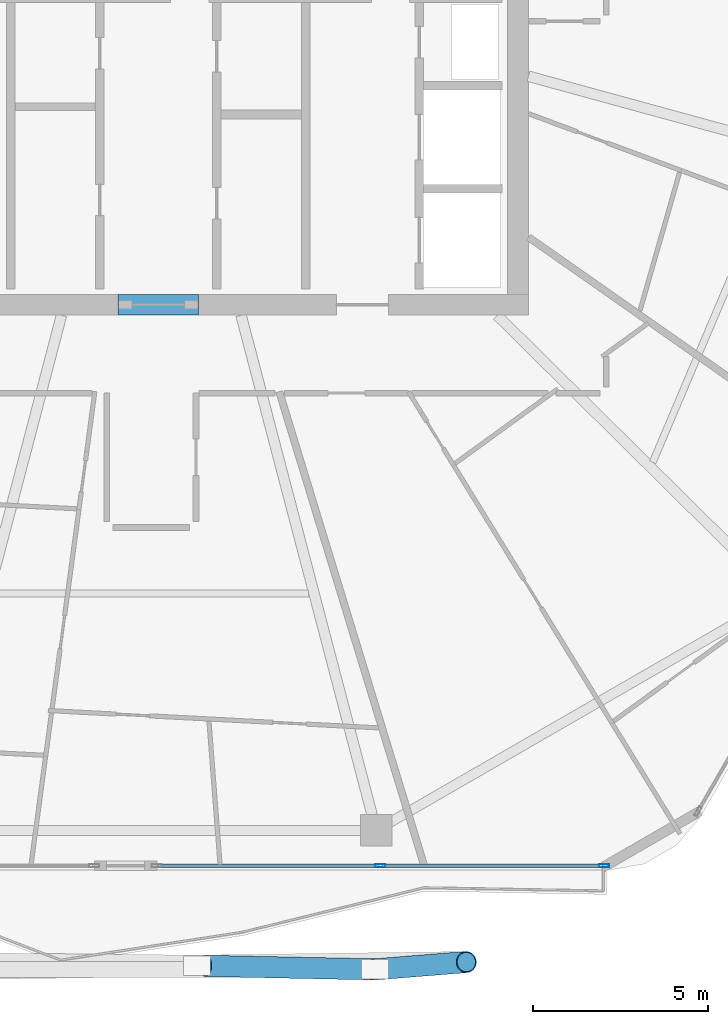
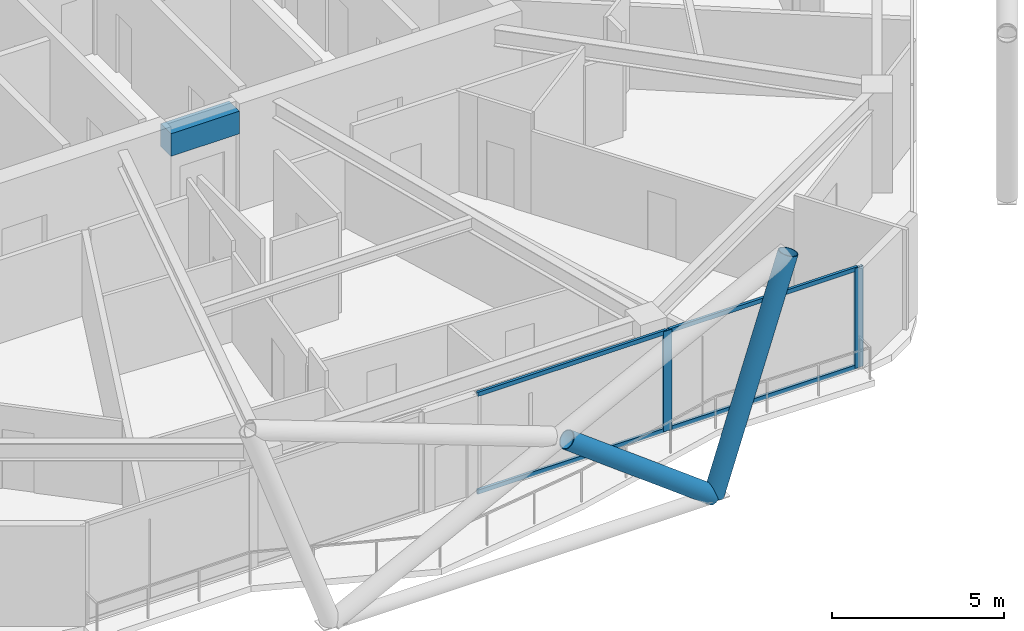
# One storey, part 7 of 28: 8 members, 1 beam, 1 element without a shape of its own.
"""IFC4 building model written with IfcOpenShell, lengths in metres."""

from ifc_helpers import new_model, si_unit, direction, frame, origin, origin_2d, place, context, subcontext, project, spatial, rectangle, hollow_rectangle, hollow_circle, extrude, material, material_profile, profile_set, type_object, element, aggregate, save


model = new_model("IFC4")

# Units and contexts
model_context = context("Model", 3, precision=1e-05, world=origin(), true_north=direction((0.0, 1.0)))
body_context = subcontext(model_context, "Body", "Model", "MODEL_VIEW")
ifc_project = project(units=[si_unit("LENGTHUNIT", "METRE"), si_unit("AREAUNIT", "SQUARE_METRE"), si_unit("VOLUMEUNIT", "CUBIC_METRE"), si_unit("PLANEANGLEUNIT", "RADIAN"), si_unit("MASSUNIT", "GRAM", prefix="KILO")], contexts=[model_context])

# Site, building, storey
site_placement = place(None, origin())
site = spatial("IfcSite", under=ifc_project, at=site_placement, CompositionType="ELEMENT")
building_placement = place(site_placement, origin())
building = spatial("IfcBuilding", under=site, at=building_placement, Name="Zuhravey Tower", CompositionType="ELEMENT")
storey_placement = place(building_placement, frame((0.0, 0.0, 254.0)))
storey = spatial("IfcBuildingStorey", under=building, at=storey_placement, Name="L64", CompositionType="ELEMENT", Elevation=254.0)

# Beam
ifc_material_1 = material(Name="Concrete C50/60", Category="concrete")
ifc_material_profile_1 = material_profile(ifc_material_1, rectangle(XDim=0.60009765625, YDim=0.800048828125, at=origin_2d()), Name="RC-600x800")
ifc_profile_set_1 = profile_set([ifc_material_profile_1], Name="Concrete C50/60")
beam_type = type_object("IfcBeamType", Name="Core Coupling Beam RC600x800", PredefinedType="LINTEL", material=ifc_profile_set_1)
beam_placement = place(storey_placement, frame((35.052001953125, 22.5, 3.14990234375), z_axis=(1.0, 0.0, 0.0), x_axis=(0.0, 1.0, 0.0)))
element("IfcBeam", 1, at=beam_placement, inside=storey, type_object=beam_type, Name="L64 CB2 BM-L64-CB-S", PredefinedType="LINTEL", context=body_context, shape_type="SweptSolid", body=[
    extrude(rectangle(XDim=0.60009765625, YDim=0.800048828125, at=origin_2d()), origin(), (0.0, 0.0, 1.0), 2.2958984375),
])

# Curtain wall, members
ifc_material_2 = material(Name="Thermally broken anodised aluminium", Category="aluminium")
curtain_wall_type = type_object("IfcCurtainWallType", Name="Zone 3-4 High-Rise Curtain Wall CW4", PredefinedType="NOTDEFINED", material=ifc_material_2)
curtain_wall_placement = place(storey_placement, origin())
curtain_wall = element("IfcCurtainWall", 2, at=curtain_wall_placement, inside=storey, type_object=curtain_wall_type, Name="L64 CW4 CW-L64-F5-1", PredefinedType="NOTDEFINED")
ifc_material_3 = material(Name="Anodised aluminium", Category="aluminium")
ifc_material_profile_2 = material_profile(ifc_material_3, hollow_rectangle(XDim=0.090087890625, YDim=0.284912109375, WallThickness=0.0048828125, at=origin_2d()), Name="ALU-RHS-90x285x5")
ifc_profile_set_2 = profile_set([ifc_material_profile_2], Name="Anodised aluminium")
member_type_1 = type_object("IfcMemberType", Name="Curtain-Wall Mullion 90x180", PredefinedType="MULLION", material=ifc_profile_set_2)
member_1_placement = place(storey_placement, frame((48.9677734375, 6.436279296875, 0.0), z_axis=(0.0, 0.0, 1.0), x_axis=(0.0, -1.0, 0.0)))
member_1 = element("IfcMember", 3, at=member_1_placement, type_object=member_type_1, Name="CW4 mullion 1", PredefinedType="MULLION", context=body_context, shape_type="SweptSolid", body=[
    extrude(hollow_rectangle(XDim=0.090087890625, YDim=0.284912109375, WallThickness=0.0048828125, at=origin_2d()), origin(), (0.0, 0.0, 1.0), 3.550048828125),
])
member_2_placement = place(storey_placement, frame((42.5625, 6.436279296875, 0.0), z_axis=(0.0, 0.0, 1.0), x_axis=(0.0, -1.0, 0.0)))
member_2 = element("IfcMember", 4, at=member_2_placement, type_object=member_type_1, Name="CW4 mullion 2", PredefinedType="MULLION", context=body_context, shape_type="SweptSolid", body=[
    extrude(hollow_rectangle(XDim=0.090087890625, YDim=0.284912109375, WallThickness=0.0048828125, at=origin_2d()), origin(), (0.0, 0.0, 1.0), 3.550048828125),
])
ifc_material_profile_3 = material_profile(ifc_material_3, hollow_rectangle(XDim=0.090087890625, YDim=0.14990234375, WallThickness=0.0048828125, at=origin_2d()), Name="ALU-RHS-90x150x5")
ifc_profile_set_3 = profile_set([ifc_material_profile_3], Name="Anodised aluminium")
member_type_2 = type_object("IfcMemberType", Name="Curtain-Wall Transom 90x150", PredefinedType="USERDEFINED", material=ifc_profile_set_3)
member_3_placement = place(storey_placement, frame((48.922607421875, 6.436279296875, 0.044921875), z_axis=(-1.0, 0.0, 0.0), x_axis=(0.0, -1.0, 0.0)))
member_3 = element("IfcMember", 5, at=member_3_placement, type_object=member_type_2, Name="CW4 transom 1.1", ObjectType="TRANSOM", PredefinedType="USERDEFINED", context=body_context, shape_type="SweptSolid", body=[
    extrude(hollow_rectangle(XDim=0.090087890625, YDim=0.14990234375, WallThickness=0.0048828125, at=origin_2d()), origin(), (0.0, 0.0, 1.0), 6.315185546875),
])
member_4_placement = place(storey_placement, frame((48.922607421875, 6.436279296875, 3.5048828125), z_axis=(-1.0, 0.0, 0.0), x_axis=(0.0, -1.0, 0.0)))
member_4 = element("IfcMember", 6, at=member_4_placement, type_object=member_type_2, Name="CW4 transom 1.2", ObjectType="TRANSOM", PredefinedType="USERDEFINED", context=body_context, shape_type="SweptSolid", body=[
    extrude(hollow_rectangle(XDim=0.090087890625, YDim=0.14990234375, WallThickness=0.0048828125, at=origin_2d()), origin(), (0.0, 0.0, 1.0), 6.315185546875),
])
member_5_placement = place(storey_placement, frame((42.517333984375, 6.436279296875, 0.044921875), z_axis=(-1.0, 0.0, 0.0), x_axis=(0.0, -1.0, 0.0)))
member_5 = element("IfcMember", 7, at=member_5_placement, type_object=member_type_2, Name="CW4 transom 2.1", ObjectType="TRANSOM", PredefinedType="USERDEFINED", context=body_context, shape_type="SweptSolid", body=[
    extrude(hollow_rectangle(XDim=0.090087890625, YDim=0.14990234375, WallThickness=0.0048828125, at=origin_2d()), origin(), (0.0, 0.0, 1.0), 6.315185546875),
])
member_6_placement = place(storey_placement, frame((42.517333984375, 6.436279296875, 3.5048828125), z_axis=(-1.0, 0.0, 0.0), x_axis=(0.0, -1.0, 0.0)))
member_6 = element("IfcMember", 8, at=member_6_placement, type_object=member_type_2, Name="CW4 transom 2.2", ObjectType="TRANSOM", PredefinedType="USERDEFINED", context=body_context, shape_type="SweptSolid", body=[
    extrude(hollow_rectangle(XDim=0.090087890625, YDim=0.14990234375, WallThickness=0.0048828125, at=origin_2d()), origin(), (0.0, 0.0, 1.0), 6.315185546875),
])
aggregate(curtain_wall, [member_1, member_2, member_3, member_4, member_5, member_6])

# Members
ifc_material_4 = material(Name="Steel SM355", Category="steel")
ifc_material_profile_4 = material_profile(ifc_material_4, hollow_circle(Radius=0.3046875, WallThickness=0.028076171875, at=origin_2d()), Name="CHS-609.6x28")
ifc_profile_set_4 = profile_set([ifc_material_profile_4], Name="Steel SM355")
member_type_3 = type_object("IfcMemberType", Name="Exoskeleton Zone 3 Diagrid CHS610x28", PredefinedType="BRACE", material=ifc_profile_set_4)
member_7_placement = place(storey_placement, frame((42.413818359375, 3.466796875, -0.446044921875), z_axis=(0.325949105984, 0.026110091215, 0.945026689276), x_axis=(-0.07984903283, 0.996806968252, 0.0)))
element("IfcMember", 9, at=member_7_placement, inside=storey, type_object=member_type_3, Name="L64 Face 5 Diagrid Brace 4", PredefinedType="BRACE", context=body_context, shape_type="SweptSolid", body=[
    extrude(hollow_circle(Radius=0.3046875, WallThickness=0.028076171875, at=origin_2d()), origin(), (0.0, 0.0, 1.0), 8.00390625),
])
member_8_placement = place(storey_placement, frame((42.375, 3.467041015625, -0.439697265625), z_axis=(-0.801604419027, 0.016538791553, 0.597625989872), x_axis=(-0.020627721273, -0.999787225921, 0.0)))
element("IfcMember", 10, at=member_8_placement, inside=storey, type_object=member_type_3, Name="L64 Face 5 Split Diagrid Brace 3A", PredefinedType="BRACE", context=body_context, shape_type="SweptSolid", body=[
    extrude(hollow_circle(Radius=0.3046875, WallThickness=0.028076171875, at=origin_2d()), origin(), (0.0, 0.0, 1.0), 6.022705078125),
])

save(model, "model.ifc")
